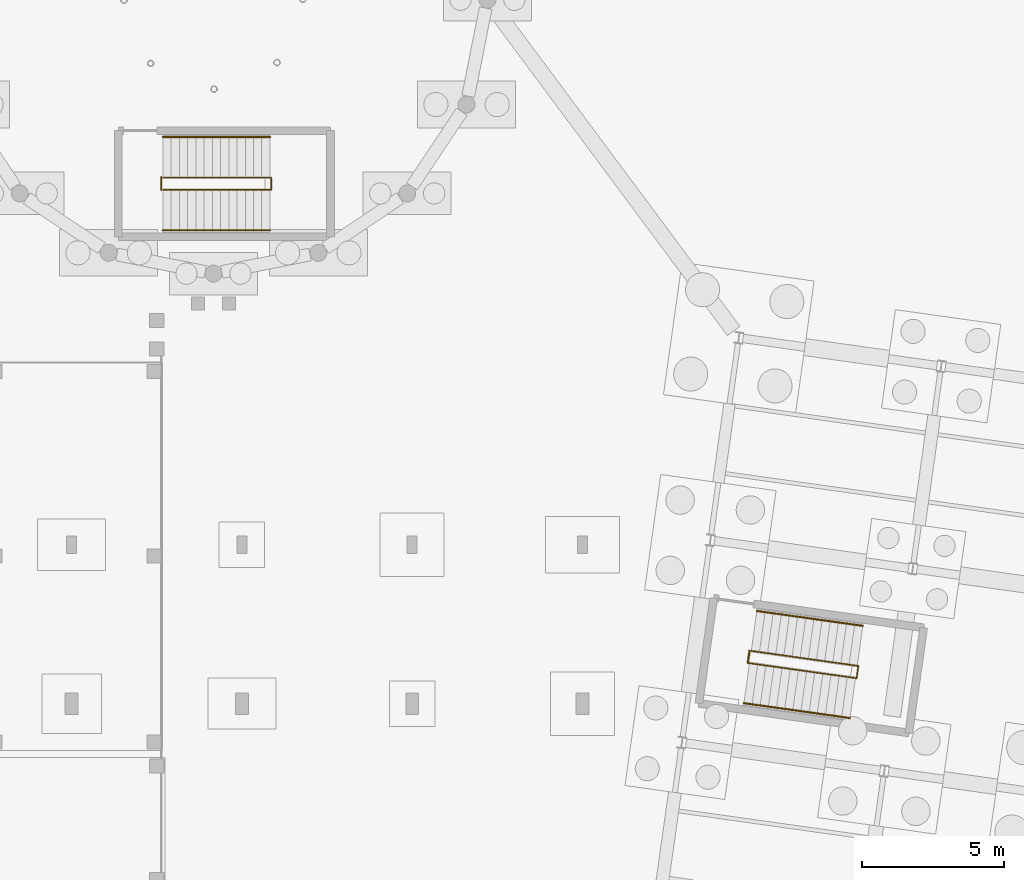
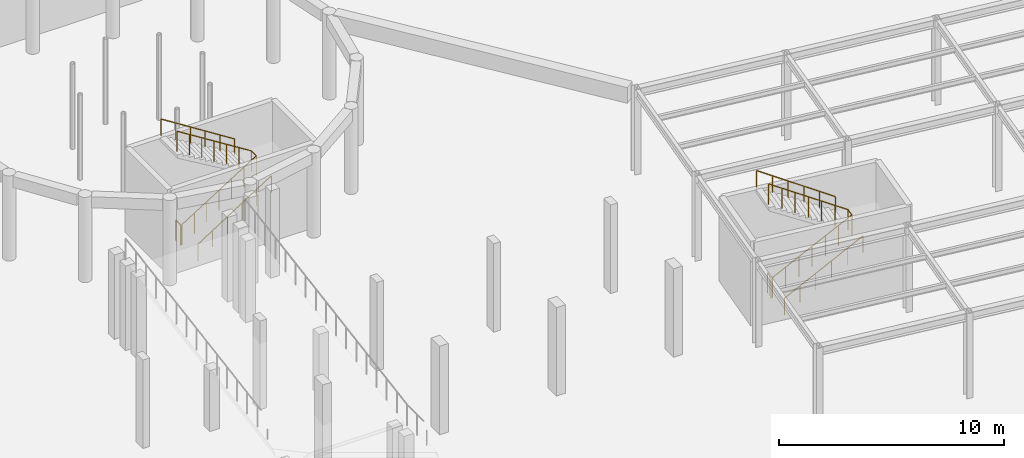
# One storey, part 32 of 34: 8 railings.
"""IFC4 building model written with IfcOpenShell, lengths in metres."""

from ifc_helpers import new_model, si_unit, direction, frame, origin, origin_2d, place, context, subcontext, project, spatial, circle, extrude, material, type_object, element, save


model = new_model("IFC4")

# Units and contexts
model_context = context("Model", 3, precision=1e-05, world=origin(), true_north=direction((0.0, 1.0)))
body_context = subcontext(model_context, "Body", "Model", "MODEL_VIEW")
ifc_project = project(units=[si_unit("LENGTHUNIT", "METRE"), si_unit("AREAUNIT", "SQUARE_METRE"), si_unit("VOLUMEUNIT", "CUBIC_METRE"), si_unit("PLANEANGLEUNIT", "RADIAN"), si_unit("MASSUNIT", "GRAM", prefix="KILO")], contexts=[model_context])

# Site, building, storey
site_placement = place(None, origin())
site = spatial("IfcSite", under=ifc_project, at=site_placement, CompositionType="ELEMENT")
building_placement = place(site_placement, origin())
building = spatial("IfcBuilding", under=site, at=building_placement, Name="Kharisveld Research Institute", CompositionType="ELEMENT")
storey_placement = place(building_placement, frame((0.0, 0.0, -4.800048828125)))
storey = spatial("IfcBuildingStorey", under=building, at=storey_placement, Name="B1", CompositionType="ELEMENT", Elevation=-4.800048828125)

# Railings
ifc_material_1 = material(Name="Steel S355JR", Category="steel")
railing_type_1 = type_object("IfcRailingType", Name="RL_GRD_STR", PredefinedType="GUARDRAIL", material=ifc_material_1)
railing_1_placement = place(storey_placement, frame((78.38427734375, 27.425537109375, 0.0)))
element("IfcRailing", 1, at=railing_1_placement, inside=storey, type_object=railing_type_1, Name="RLG:ST5:B1:GRD_SLOT", PredefinedType="GUARDRAIL", context=body_context, shape_type="SweptSolid", body=[
    extrude(circle(Radius=0.02392578125, at=origin_2d()), frame((0.0, 0.0, 1.09619140625), z_axis=(0.83787395949, -0.117759948234, 0.533010152436), x_axis=(0.139178249874, 0.990267345095, 0.0)), (0.0, 0.0, 1.0), 4.5029296875),
    extrude(circle(Radius=0.02392578125, at=origin_2d()), frame((3.77294921875, -0.5302734375, 3.49609375), z_axis=(0.139246331265, 0.990257774132, 0.0), x_axis=(-0.990257774132, 0.139246331265, 0.0)), (0.0, 0.0, 1.0), 0.440185546875),
    extrude(circle(Radius=0.02392578125, at=origin_2d()), frame((3.834228515625, -0.094482421875, 3.49609375), z_axis=(-0.837898172495, 0.117763351279, 0.532971336588), x_axis=(-0.139178249874, -0.990267345095, 0.0)), (0.0, 0.0, 1.0), 4.5029296875),
    extrude(circle(Radius=0.02099609375, at=origin_2d()), origin(), (0.0, 0.0, 1.0), 1.072021484375),
    extrude(circle(Radius=0.02099609375, at=origin_2d()), frame((0.62890625, -0.08837890625, 0.39990234375)), (0.0, 0.0, 1.0), 1.072021484375),
    extrude(circle(Radius=0.02099609375, at=origin_2d()), frame((1.257568359375, -0.1767578125, 0.800048828125)), (0.0, 0.0, 1.0), 1.072021484375),
    extrude(circle(Radius=0.02099609375, at=origin_2d()), frame((1.886474609375, -0.26513671875, 1.2001953125)), (0.0, 0.0, 1.0), 1.072021484375),
    extrude(circle(Radius=0.02099609375, at=origin_2d()), frame((2.515380859375, -0.353515625, 1.60009765625)), (0.0, 0.0, 1.0), 1.072021484375),
    extrude(circle(Radius=0.02099609375, at=origin_2d()), frame((3.14404296875, -0.44189453125, 2.0)), (0.0, 0.0, 1.0), 1.072021484375),
    extrude(circle(Radius=0.02099609375, at=origin_2d()), frame((3.77294921875, -0.5302734375, 2.400146484375)), (0.0, 0.0, 1.0), 1.072021484375),
    extrude(circle(Radius=0.02099609375, at=origin_2d()), frame((3.834228515625, -0.094482421875, 2.400146484375)), (0.0, 0.0, 1.0), 1.072021484375),
    extrude(circle(Radius=0.02099609375, at=origin_2d()), frame((3.205322265625, -0.006103515625, 2.800048828125)), (0.0, 0.0, 1.0), 1.072021484375),
    extrude(circle(Radius=0.02099609375, at=origin_2d()), frame((2.57666015625, 0.082275390625, 3.2001953125)), (0.0, 0.0, 1.0), 1.072021484375),
    extrude(circle(Radius=0.02099609375, at=origin_2d()), frame((1.94775390625, 0.170654296875, 3.60009765625)), (0.0, 0.0, 1.0), 1.072021484375),
    extrude(circle(Radius=0.02099609375, at=origin_2d()), frame((1.31884765625, 0.259033203125, 4.0)), (0.0, 0.0, 1.0), 1.072021484375),
    extrude(circle(Radius=0.02099609375, at=origin_2d()), frame((0.690185546875, 0.347412109375, 4.400146484375)), (0.0, 0.0, 1.0), 1.072021484375),
    extrude(circle(Radius=0.02099609375, at=origin_2d()), frame((0.061279296875, 0.435791015625, 4.800048828125)), (0.0, 0.0, 1.0), 1.072021484375),
])
railing_2_placement = place(storey_placement, frame((78.324951171875, 27.433837890625, 0.0)))
element("IfcRailing", 2, at=railing_2_placement, inside=storey, type_object=railing_type_1, Name="RLG:ST5:B1:GRD_FLRSLOT", PredefinedType="GUARDRAIL", context=body_context, shape_type="SweptSolid", body=[
    extrude(circle(Radius=0.02392578125, at=origin_2d()), frame((0.0, 0.0, 1.09619140625), z_axis=(0.139246331265, 0.990257774132, 0.0), x_axis=(-0.990257774132, 0.139246331265, 0.0)), (0.0, 0.0, 1.0), 0.440185546875),
    extrude(circle(Radius=0.02099609375, at=origin_2d()), origin(), (0.0, 0.0, 1.0), 1.072021484375),
    extrude(circle(Radius=0.02099609375, at=origin_2d()), frame((0.03076171875, 0.2177734375, 0.0)), (0.0, 0.0, 1.0), 1.072021484375),
    extrude(circle(Radius=0.02099609375, at=origin_2d()), frame((0.061279296875, 0.435791015625, 0.0)), (0.0, 0.0, 1.0), 1.072021484375),
])
railing_3_placement = place(storey_placement, frame((57.719970703125, 44.10009765625, 0.0)))
element("IfcRailing", 3, at=railing_3_placement, inside=storey, type_object=railing_type_1, Name="RLG:ST7:B1:GRD_SLOT", PredefinedType="GUARDRAIL", context=body_context, shape_type="SweptSolid", body=[
    extrude(circle(Radius=0.02392578125, at=origin_2d()), frame((0.0, 0.0, 1.09619140625), z_axis=(0.846110589898, 0.0, 0.533007382371), x_axis=(0.0, 1.0, 0.0)), (0.0, 0.0, 1.0), 4.5029296875),
    extrude(circle(Radius=0.02392578125, at=origin_2d()), frame((3.81005859375, 0.0, 3.49609375), z_axis=(0.0, 1.0, 0.0), x_axis=(-1.0, 0.0, 0.0)), (0.0, 0.0, 1.0), 0.43994140625),
    extrude(circle(Radius=0.02392578125, at=origin_2d()), frame((3.81005859375, 0.43994140625, 3.49609375), z_axis=(-0.846135040672, 0.0, 0.532968566565), x_axis=(0.0, -1.0, 0.0)), (0.0, 0.0, 1.0), 4.5029296875),
    extrude(circle(Radius=0.02099609375, at=origin_2d()), origin(), (0.0, 0.0, 1.0), 1.072021484375),
    extrude(circle(Radius=0.02099609375, at=origin_2d()), frame((0.635009765625, 0.0, 0.39990234375)), (0.0, 0.0, 1.0), 1.072021484375),
    extrude(circle(Radius=0.02099609375, at=origin_2d()), frame((1.27001953125, 0.0, 0.800048828125)), (0.0, 0.0, 1.0), 1.072021484375),
    extrude(circle(Radius=0.02099609375, at=origin_2d()), frame((1.905029296875, 0.0, 1.2001953125)), (0.0, 0.0, 1.0), 1.072021484375),
    extrude(circle(Radius=0.02099609375, at=origin_2d()), frame((2.5400390625, 0.0, 1.60009765625)), (0.0, 0.0, 1.0), 1.072021484375),
    extrude(circle(Radius=0.02099609375, at=origin_2d()), frame((3.175048828125, 0.0, 2.0)), (0.0, 0.0, 1.0), 1.072021484375),
    extrude(circle(Radius=0.02099609375, at=origin_2d()), frame((3.81005859375, 0.0, 2.400146484375)), (0.0, 0.0, 1.0), 1.072021484375),
    extrude(circle(Radius=0.02099609375, at=origin_2d()), frame((3.81005859375, 0.43994140625, 2.400146484375)), (0.0, 0.0, 1.0), 1.072021484375),
    extrude(circle(Radius=0.02099609375, at=origin_2d()), frame((3.175048828125, 0.43994140625, 2.800048828125)), (0.0, 0.0, 1.0), 1.072021484375),
    extrude(circle(Radius=0.02099609375, at=origin_2d()), frame((2.5400390625, 0.43994140625, 3.2001953125)), (0.0, 0.0, 1.0), 1.072021484375),
    extrude(circle(Radius=0.02099609375, at=origin_2d()), frame((1.905029296875, 0.43994140625, 3.60009765625)), (0.0, 0.0, 1.0), 1.072021484375),
    extrude(circle(Radius=0.02099609375, at=origin_2d()), frame((1.27001953125, 0.43994140625, 4.0)), (0.0, 0.0, 1.0), 1.072021484375),
    extrude(circle(Radius=0.02099609375, at=origin_2d()), frame((0.635009765625, 0.43994140625, 4.400146484375)), (0.0, 0.0, 1.0), 1.072021484375),
    extrude(circle(Radius=0.02099609375, at=origin_2d()), frame((0.0, 0.43994140625, 4.800048828125)), (0.0, 0.0, 1.0), 1.072021484375),
])
railing_4_placement = place(storey_placement, frame((57.659912109375, 44.10009765625, 0.0)))
element("IfcRailing", 4, at=railing_4_placement, inside=storey, type_object=railing_type_1, Name="RLG:ST7:B1:GRD_FLRSLOT", PredefinedType="GUARDRAIL", context=body_context, shape_type="SweptSolid", body=[
    extrude(circle(Radius=0.02392578125, at=origin_2d()), frame((0.0, 0.0, 1.09619140625), z_axis=(0.0, 1.0, 0.0), x_axis=(-1.0, 0.0, 0.0)), (0.0, 0.0, 1.0), 0.43994140625),
    extrude(circle(Radius=0.02099609375, at=origin_2d()), origin(), (0.0, 0.0, 1.0), 1.072021484375),
    extrude(circle(Radius=0.02099609375, at=origin_2d()), frame((0.0, 0.43994140625, 0.0)), (0.0, 0.0, 1.0), 1.072021484375),
])
ifc_material_2 = material(Name="Stainless Steel 316", Category="steel")
railing_type_2 = type_object("IfcRailingType", Name="RL_HND_STR", PredefinedType="HANDRAIL", material=ifc_material_2)
railing_5_placement = place(storey_placement, frame((78.186767578125, 26.019287109375, 0.0)))
element("IfcRailing", 5, at=railing_5_placement, inside=storey, type_object=railing_type_2, Name="RLG:ST5:B1:HR1", PredefinedType="HANDRAIL", context=body_context, shape_type="SweptSolid", body=[
    extrude(circle(Radius=0.02392578125, at=origin_2d()), frame((0.0, 0.0, 0.89599609375), z_axis=(0.835335041061, -0.11739814291, 0.537059629107), x_axis=(0.139172472021, 0.990268157133, 0.0)), (0.0, 0.0, 1.0), 4.468994140625),
    extrude(circle(Radius=0.02099609375, at=origin_2d()), origin(), (0.0, 0.0, 1.0), 0.871826171875),
    extrude(circle(Radius=0.02099609375, at=origin_2d()), frame((0.74658203125, -0.10498046875, 0.47998046875)), (0.0, 0.0, 1.0), 0.871826171875),
    extrude(circle(Radius=0.02099609375, at=origin_2d()), frame((1.4931640625, -0.2099609375, 0.9599609375)), (0.0, 0.0, 1.0), 0.871826171875),
    extrude(circle(Radius=0.02099609375, at=origin_2d()), frame((2.239990234375, -0.314697265625, 1.440185546875)), (0.0, 0.0, 1.0), 0.871826171875),
    extrude(circle(Radius=0.02099609375, at=origin_2d()), frame((2.986572265625, -0.419677734375, 1.920166015625)), (0.0, 0.0, 1.0), 0.871826171875),
    extrude(circle(Radius=0.02099609375, at=origin_2d()), frame((3.733154296875, -0.524658203125, 2.400146484375)), (0.0, 0.0, 1.0), 0.871826171875),
])
railing_6_placement = place(storey_placement, frame((82.37646484375, 28.742919921875, 2.400146484375)))
element("IfcRailing", 6, at=railing_6_placement, inside=storey, type_object=railing_type_2, Name="RLG:ST5:B1:HR2", PredefinedType="HANDRAIL", context=body_context, shape_type="SweptSolid", body=[
    extrude(circle(Radius=0.02392578125, at=origin_2d()), frame((0.0, 0.0, 0.89599609375), z_axis=(-0.835376055802, 0.117396229657, 0.536996248269), x_axis=(-0.139163547283, -0.990269411376, 0.0)), (0.0, 0.0, 1.0), 4.46923828125),
    extrude(circle(Radius=0.02099609375, at=origin_2d()), origin(), (0.0, 0.0, 1.0), 0.871826171875),
    extrude(circle(Radius=0.02099609375, at=origin_2d()), frame((-0.74658203125, 0.10498046875, 0.47998046875)), (0.0, 0.0, 1.0), 0.871826171875),
    extrude(circle(Radius=0.02099609375, at=origin_2d()), frame((-1.493408203125, 0.2099609375, 0.9599609375)), (0.0, 0.0, 1.0), 0.871826171875),
    extrude(circle(Radius=0.02099609375, at=origin_2d()), frame((-2.239990234375, 0.314697265625, 1.43994140625)), (0.0, 0.0, 1.0), 0.871826171875),
    extrude(circle(Radius=0.02099609375, at=origin_2d()), frame((-2.98681640625, 0.419677734375, 1.919921875)), (0.0, 0.0, 1.0), 0.871826171875),
    extrude(circle(Radius=0.02099609375, at=origin_2d()), frame((-3.7333984375, 0.524658203125, 2.39990234375)), (0.0, 0.0, 1.0), 0.871826171875),
])
railing_7_placement = place(storey_placement, frame((57.719970703125, 42.679931640625, 0.0)))
element("IfcRailing", 7, at=railing_7_placement, inside=storey, type_object=railing_type_2, Name="RLG:ST7:B1:HR1", PredefinedType="HANDRAIL", context=body_context, shape_type="SweptSolid", body=[
    extrude(circle(Radius=0.02392578125, at=origin_2d()), frame((0.0, 0.0, 0.89599609375), z_axis=(0.843555751359, 0.0, 0.537041613237), x_axis=(0.0, 1.0, 0.0)), (0.0, 0.0, 1.0), 4.46923828125),
    extrude(circle(Radius=0.02099609375, at=origin_2d()), origin(), (0.0, 0.0, 1.0), 0.871826171875),
    extrude(circle(Radius=0.02099609375, at=origin_2d()), frame((0.75390625, 0.0, 0.47998046875)), (0.0, 0.0, 1.0), 0.871826171875),
    extrude(circle(Radius=0.02099609375, at=origin_2d()), frame((1.508056640625, 0.0, 0.9599609375)), (0.0, 0.0, 1.0), 0.871826171875),
    extrude(circle(Radius=0.02099609375, at=origin_2d()), frame((2.261962890625, 0.0, 1.440185546875)), (0.0, 0.0, 1.0), 0.871826171875),
    extrude(circle(Radius=0.02099609375, at=origin_2d()), frame((3.01611328125, 0.0, 1.920166015625)), (0.0, 0.0, 1.0), 0.871826171875),
    extrude(circle(Radius=0.02099609375, at=origin_2d()), frame((3.77001953125, 0.0, 2.400146484375)), (0.0, 0.0, 1.0), 0.871826171875),
])
railing_8_placement = place(storey_placement, frame((61.489990234375, 45.9599609375, 2.400146484375)))
element("IfcRailing", 8, at=railing_8_placement, inside=storey, type_object=railing_type_2, Name="RLG:ST7:B1:HR2", PredefinedType="HANDRAIL", context=body_context, shape_type="SweptSolid", body=[
    extrude(circle(Radius=0.02392578125, at=origin_2d()), frame((0.0, 0.0, 0.89599609375), z_axis=(-0.843580498726, 0.0, 0.537002739443), x_axis=(0.0, -1.0, 0.0)), (0.0, 0.0, 1.0), 4.468994140625),
    extrude(circle(Radius=0.02099609375, at=origin_2d()), origin(), (0.0, 0.0, 1.0), 0.871826171875),
    extrude(circle(Radius=0.02099609375, at=origin_2d()), frame((-0.75390625, 0.0, 0.47998046875)), (0.0, 0.0, 1.0), 0.871826171875),
    extrude(circle(Radius=0.02099609375, at=origin_2d()), frame((-1.508056640625, 0.0, 0.9599609375)), (0.0, 0.0, 1.0), 0.871826171875),
    extrude(circle(Radius=0.02099609375, at=origin_2d()), frame((-2.261962890625, 0.0, 1.43994140625)), (0.0, 0.0, 1.0), 0.871826171875),
    extrude(circle(Radius=0.02099609375, at=origin_2d()), frame((-3.01611328125, 0.0, 1.919921875)), (0.0, 0.0, 1.0), 0.871826171875),
    extrude(circle(Radius=0.02099609375, at=origin_2d()), frame((-3.77001953125, 0.0, 2.39990234375)), (0.0, 0.0, 1.0), 0.871826171875),
])

save(model, "model.ifc")
